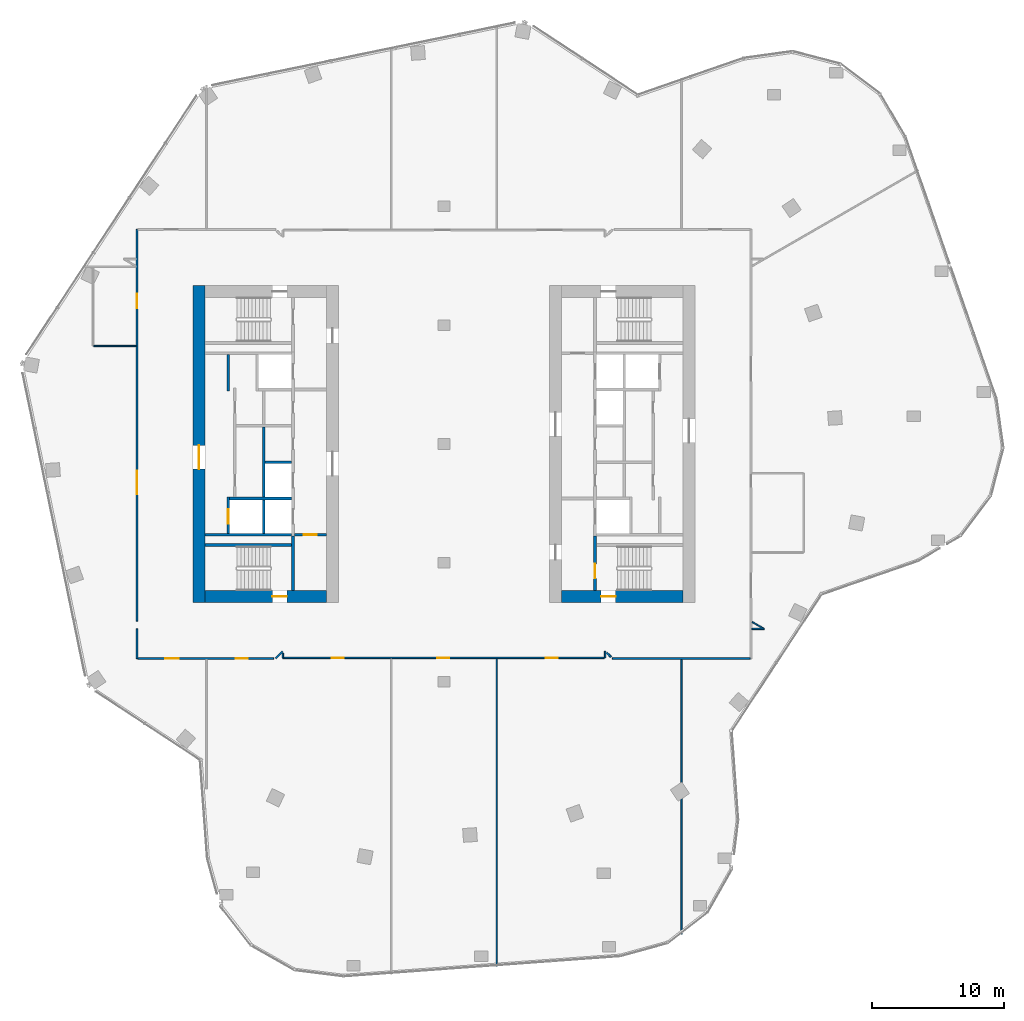
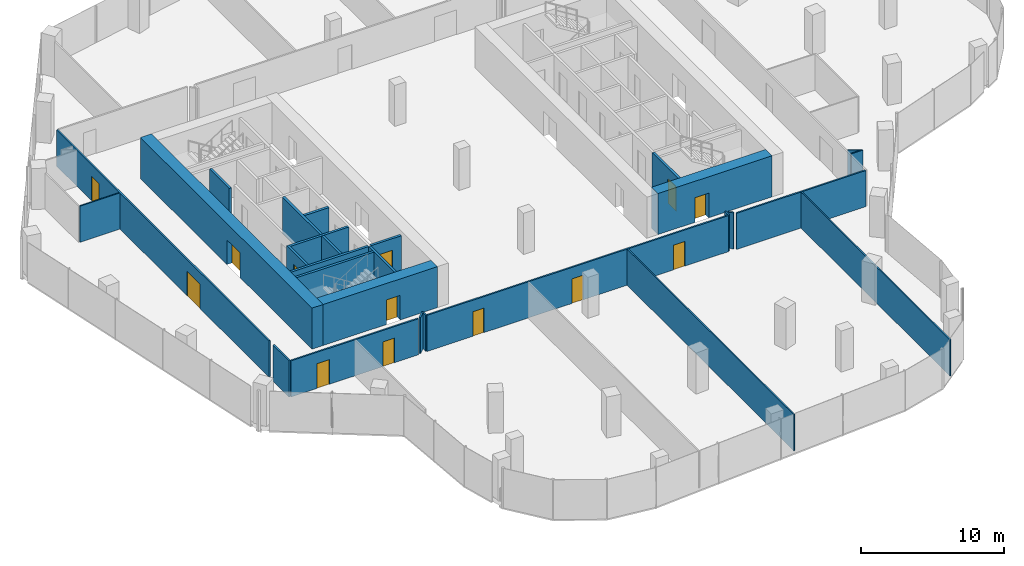
# One storey, part 18 of 24: 28 walls, 13 doors, 13 openings.
"""IFC4 building model written with IfcOpenShell, lengths in metres."""

from ifc_helpers import new_model, si_unit, direction, frame, frame_2d, origin, place, context, subcontext, project, spatial, rectangle, extrude, material, layer, layer_set, type_object, element, fill, save


model = new_model("IFC4")

# Units and contexts
model_context = context("Model", 3, precision=1e-05, world=origin(), true_north=direction((0.0, 1.0)))
body_context = subcontext(model_context, "Body", "Model", "MODEL_VIEW")
ifc_project = project(units=[si_unit("LENGTHUNIT", "METRE"), si_unit("AREAUNIT", "SQUARE_METRE"), si_unit("VOLUMEUNIT", "CUBIC_METRE"), si_unit("PLANEANGLEUNIT", "RADIAN"), si_unit("MASSUNIT", "GRAM", prefix="KILO")], contexts=[model_context])

# Site, building, storey
site_placement = place(None, origin())
site = spatial("IfcSite", under=ifc_project, at=site_placement, CompositionType="ELEMENT")
building_placement = place(site_placement, origin())
building = spatial("IfcBuilding", under=site, at=building_placement, Name="Orlundy Tower", CompositionType="ELEMENT")
storey_placement = place(building_placement, frame((0.0, 0.0, 235.5)))
storey = spatial("IfcBuildingStorey", under=building, at=storey_placement, Name="L62", CompositionType="ELEMENT", Elevation=235.5)

# Wall, opening, door
ifc_material_1 = material(Name="Concrete C60/75", Category="concrete")
ifc_layer_1 = layer(ifc_material_1, 0.89990234375)
ifc_layer_set_1 = layer_set([ifc_layer_1], Name="CORE WALL 900 C60/75")
wall_type_1 = type_object("IfcWallType", Name="CORE WALL 900 C60/75", PredefinedType="SHEAR", material=ifc_layer_set_1)
wall_1_placement = place(storey_placement, frame((-18.10009765625, -11.550048828125, 0.0), z_axis=(0.0, 0.0, 1.0), x_axis=(1.0, 0.0, 0.0)))
wall_1 = element("IfcWall", 1, at=wall_1_placement, inside=storey, type_object=wall_type_1, Name="Core wall W-S L62", PredefinedType="SHEAR", context=body_context, shape_type="SweptSolid", body=[
    extrude(rectangle(XDim=9.2001953125, YDim=0.89990234375, at=frame_2d((4.60009765625, 0.0))), origin(), (0.0, 0.0, 1.0), 3.5),
])
opening_1_placement = place(wall_1_placement, frame((5.10009765625, 0.0, 0.0)))
opening_1 = element("IfcOpeningElement", 2, at=opening_1_placement, cuts=wall_1, Name="Opening 48013", PredefinedType="OPENING", context=body_context, shape_type="SweptSolid", body=[
    extrude(rectangle(XDim=1.10009765625, YDim=2.10009765625, at=frame_2d((0.550048828125, 1.050048828125))), frame((0.0, 0.4599609375, 0.0), z_axis=(0.0, -1.0, 0.0), x_axis=(1.0, 0.0, 0.0)), (0.0, 0.0, 1.0), 0.919921875),
])
ifc_material_2 = material(Name="Steel door set", Category="steel")
door_type_1 = type_object("IfcDoorType", Name="Stair Door 1100x2100", OperationType="SINGLE_SWING_LEFT", PredefinedType="DOOR", material=ifc_material_2)
door_1_placement = place(opening_1_placement, origin())
door_1 = element("IfcDoor", 3, at=door_1_placement, inside=storey, type_object=door_type_1, Name="Stair door 48013", OperationType="SINGLE_SWING_RIGHT", OverallHeight=2.10009765625, OverallWidth=1.10009765625, PredefinedType="DOOR", context=body_context, shape_type="SweptSolid", body=[
    extrude(rectangle(XDim=1.10009765625, YDim=2.10009765625, at=frame_2d((0.550048828125, 1.050048828125))), frame((0.0, 0.02490234375, 0.0), z_axis=(0.0, -1.0, 0.0), x_axis=(1.0, 0.0, 0.0)), (0.0, 0.0, 1.0), 0.050048828125),
])
fill(opening_1, door_1)

wall_2_placement = place(storey_placement, frame((-18.550048828125, -12.0, 0.0), z_axis=(0.0, 0.0, 1.0), x_axis=(0.0, 1.0, 0.0)))
wall_2 = element("IfcWall", 4, at=wall_2_placement, inside=storey, type_object=wall_type_1, Name="Core wall W-W L62", PredefinedType="SHEAR", context=body_context, shape_type="SweptSolid", body=[
    extrude(rectangle(XDim=24.0, YDim=0.89990234375, at=frame_2d((12.0, 0.0))), origin(), (0.0, 0.0, 1.0), 3.5),
])
opening_2_placement = place(wall_2_placement, frame((10.10009765625, 0.0, 0.0)))
opening_2 = element("IfcOpeningElement", 5, at=opening_2_placement, cuts=wall_2, Name="Opening 48010", PredefinedType="OPENING", context=body_context, shape_type="SweptSolid", body=[
    extrude(rectangle(XDim=1.800048828125, YDim=2.10009765625, at=frame_2d((0.89990234375, 1.050048828125))), frame((0.0, 0.4599609375, 0.0), z_axis=(0.0, -1.0, 0.0), x_axis=(1.0, 0.0, 0.0)), (0.0, 0.0, 1.0), 0.919921875),
])
ifc_material_3 = material(Name="Timber door set", Category="wood")
door_type_2 = type_object("IfcDoorType", Name="Lobby Door 1800x2100", OperationType="DOUBLE_DOOR_DOUBLE_SWING", PredefinedType="DOOR", material=ifc_material_3)
door_2_placement = place(opening_2_placement, origin())
door_2 = element("IfcDoor", 6, at=door_2_placement, inside=storey, type_object=door_type_2, Name="Lift lobby door 48010", OperationType="SINGLE_SWING_LEFT", OverallHeight=2.10009765625, OverallWidth=1.800048828125, PredefinedType="DOOR", context=body_context, shape_type="SweptSolid", body=[
    extrude(rectangle(XDim=1.800048828125, YDim=2.10009765625, at=frame_2d((0.89990234375, 1.050048828125))), frame((0.0, 0.02490234375, 0.0), z_axis=(0.0, -1.0, 0.0), x_axis=(1.0, 0.0, 0.0)), (0.0, 0.0, 1.0), 0.050048828125),
])
fill(opening_2, door_2)

wall_3_placement = place(storey_placement, frame((8.89990234375, -11.550048828125, 0.0), z_axis=(0.0, 0.0, 1.0), x_axis=(1.0, 0.0, 0.0)))
wall_3 = element("IfcWall", 7, at=wall_3_placement, inside=storey, type_object=wall_type_1, Name="Core wall E-S L62", PredefinedType="SHEAR", context=body_context, shape_type="SweptSolid", body=[
    extrude(rectangle(XDim=9.2001953125, YDim=0.89990234375, at=frame_2d((4.60009765625, 0.0))), origin(), (0.0, 0.0, 1.0), 3.5),
])
opening_3_placement = place(wall_3_placement, frame((3.0, 0.0, 0.0)))
opening_3 = element("IfcOpeningElement", 8, at=opening_3_placement, cuts=wall_3, Name="Opening 48061", PredefinedType="OPENING", context=body_context, shape_type="SweptSolid", body=[
    extrude(rectangle(XDim=1.10009765625, YDim=2.10009765625, at=frame_2d((0.550048828125, 1.050048828125))), frame((0.0, 0.4599609375, 0.0), z_axis=(0.0, -1.0, 0.0), x_axis=(1.0, 0.0, 0.0)), (0.0, 0.0, 1.0), 0.919921875),
])
door_3_placement = place(opening_3_placement, origin())
door_3 = element("IfcDoor", 9, at=door_3_placement, inside=storey, type_object=door_type_1, Name="Stair door 48061", OperationType="SINGLE_SWING_LEFT", OverallHeight=2.10009765625, OverallWidth=1.10009765625, PredefinedType="DOOR", context=body_context, shape_type="SweptSolid", body=[
    extrude(rectangle(XDim=1.10009765625, YDim=2.10009765625, at=frame_2d((0.550048828125, 1.050048828125))), frame((0.0, 0.02490234375, 0.0), z_axis=(0.0, -1.0, 0.0), x_axis=(1.0, 0.0, 0.0)), (0.0, 0.0, 1.0), 0.050048828125),
])
fill(opening_3, door_3)

# Walls
ifc_material_4 = material(Name="Gypsum board partition")
ifc_layer_2 = layer(ifc_material_4, 0.10009765625)
ifc_layer_set_2 = layer_set([ifc_layer_2], Name="Floor partition 100")
wall_type_2 = type_object("IfcWallType", Name="Floor partition 100", PredefinedType="PARTITIONING", material=ifc_layer_set_2)
wall_4_placement = place(storey_placement, frame((23.337890625, -13.47412109375, 0.0), z_axis=(0.0, 0.0, 1.0), x_axis=(0.866295472041, -0.499531936037, 0.0)))
element("IfcWall", 10, at=wall_4_placement, inside=storey, type_object=wall_type_2, Name="wall-int-L62-005", PredefinedType="PARTITIONING", context=body_context, shape_type="SweptSolid", body=[
    extrude(rectangle(XDim=0.99853515625, YDim=0.10009765625, at=frame_2d((0.499267578125, 0.0))), origin(), (0.0, 0.0, 1.0), 3.080078125),
])
wall_5_placement = place(storey_placement, frame((23.31396484375, -14.0, 0.0), z_axis=(0.0, 0.0, 1.0), x_axis=(1.0, 0.0, 0.0)))
element("IfcWall", 11, at=wall_5_placement, inside=storey, type_object=wall_type_2, Name="wall-int-L62-009", PredefinedType="PARTITIONING", context=body_context, shape_type="SweptSolid", body=[
    extrude(rectangle(XDim=0.93310546875, YDim=0.10009765625, at=frame_2d((0.466552734375, 0.0))), origin(), (0.0, 0.0, 1.0), 3.080078125),
])
wall_6_placement = place(storey_placement, frame((-26.531982421875, 7.423095703125, 0.0), z_axis=(0.0, 0.0, 1.0), x_axis=(1.0, 0.0, 0.0)))
element("IfcWall", 12, at=wall_6_placement, inside=storey, type_object=wall_type_2, Name="wall-int-L62-012", PredefinedType="PARTITIONING", context=body_context, shape_type="SweptSolid", body=[
    extrude(rectangle(XDim=3.219970703125, YDim=0.10009765625, at=frame_2d((1.60986328125, 0.0))), origin(), (0.0, 0.0, 1.0), 3.080078125),
])
wall_7_placement = place(storey_placement, frame((18.0, -37.118896484375, 0.0), z_axis=(0.0, 0.0, 1.0), x_axis=(0.0, 1.0, 0.0)))
element("IfcWall", 13, at=wall_7_placement, inside=storey, type_object=wall_type_2, Name="wall-int-L62-025", PredefinedType="PARTITIONING", context=body_context, shape_type="SweptSolid", body=[
    extrude(rectangle(XDim=20.806884765625, YDim=0.10009765625, at=frame_2d((10.4033203125, 0.0))), origin(), (0.0, 0.0, 1.0), 3.080078125),
])
wall_8_placement = place(storey_placement, frame((4.0, -39.56494140625, 0.0), z_axis=(0.0, 0.0, 1.0), x_axis=(0.0, 1.0, 0.0)))
element("IfcWall", 14, at=wall_8_placement, inside=storey, type_object=wall_type_2, Name="wall-int-L62-029", PredefinedType="PARTITIONING", context=body_context, shape_type="SweptSolid", body=[
    extrude(rectangle(XDim=23.302978515625, YDim=0.10009765625, at=frame_2d((11.6513671875, 0.0))), origin(), (0.0, 0.0, 1.0), 3.080078125),
])
ifc_material_5 = material(Name="Gypsum board partition, double layer")
ifc_layer_3 = layer(ifc_material_5, 0.125)
ifc_layer_set_3 = layer_set([ifc_layer_3], Name="Floor partition 125")
wall_type_3 = type_object("IfcWallType", Name="Floor partition 125", PredefinedType="PARTITIONING", material=ifc_layer_set_3)
wall_9_placement = place(storey_placement, frame((-12.200927734375, -15.842041015625, 0.0), z_axis=(0.0, 0.0, 1.0), x_axis=(0.002728502804, -0.999996277629, 0.0)))
element("IfcWall", 15, at=wall_9_placement, inside=storey, type_object=wall_type_3, Name="wall-int-L62-001", PredefinedType="PARTITIONING", context=body_context, shape_type="SweptSolid", body=[
    extrude(rectangle(XDim=0.35791015625, YDim=0.125, at=frame_2d((0.178955078125, 0.0))), origin(), (0.0, 0.0, 1.0), 3.080078125),
])
wall_10_placement = place(storey_placement, frame((12.3291015625, -15.806884765625, 0.0), z_axis=(0.0, 0.0, 1.0), x_axis=(0.706834450471, -0.707379007059, 0.0)))
element("IfcWall", 16, at=wall_10_placement, inside=storey, type_object=wall_type_3, Name="wall-int-L62-002", PredefinedType="PARTITIONING", context=body_context, shape_type="SweptSolid", body=[
    extrude(rectangle(XDim=0.4482421875, YDim=0.125, at=frame_2d((0.22412109375, 0.0))), origin(), (0.0, 0.0, 1.0), 3.080078125),
])

# Wall, openings, doors
wall_11_placement = place(storey_placement, frame((-12.909912109375, -16.25, 0.0), z_axis=(0.0, 0.0, 1.0), x_axis=(-1.0, 0.0, 0.0)))
wall_11 = element("IfcWall", 17, at=wall_11_placement, inside=storey, type_object=wall_type_3, Name="wall-int-L62-006", PredefinedType="PARTITIONING", context=body_context, shape_type="SweptSolid", body=[
    extrude(rectangle(XDim=10.278076171875, YDim=0.125, at=frame_2d((5.13916015625, 0.0))), origin(), (0.0, 0.0, 1.0), 3.080078125),
])
opening_4_placement = place(wall_11_placement, frame((7.190185546875, 0.0, 0.0)))
opening_4 = element("IfcOpeningElement", 18, at=opening_4_placement, cuts=wall_11, Name="Opening 48100", PredefinedType="OPENING", context=body_context, shape_type="SweptSolid", body=[
    extrude(rectangle(XDim=1.0, YDim=2.10009765625, at=frame_2d((0.5, 1.050048828125))), frame((0.0, 0.072509765625, 0.0), z_axis=(0.0, -1.0, 0.0), x_axis=(1.0, 0.0, 0.0)), (0.0, 0.0, 1.0), 0.14501953125),
])
opening_5_placement = place(wall_11_placement, frame((1.94921875, 0.0, 0.0)))
opening_5 = element("IfcOpeningElement", 19, at=opening_5_placement, cuts=wall_11, Name="Opening 48101", PredefinedType="OPENING", context=body_context, shape_type="SweptSolid", body=[
    extrude(rectangle(XDim=0.89990234375, YDim=2.10009765625, at=frame_2d((0.449951171875, 1.050048828125))), frame((0.0, 0.072509765625, 0.0), z_axis=(0.0, -1.0, 0.0), x_axis=(1.0, 0.0, 0.0)), (0.0, 0.0, 1.0), 0.14501953125),
])
ifc_material_6 = material(Name="Timber door leaf", Category="wood")
door_type_3 = type_object("IfcDoorType", Name="Floor door single 900 FD30S", OperationType="NOTDEFINED", PredefinedType="DOOR", material=ifc_material_6)
door_4_placement = place(opening_5_placement, origin())
door_4 = element("IfcDoor", 20, at=door_4_placement, inside=storey, type_object=door_type_3, Name="Door 48101", OperationType="SINGLE_SWING_LEFT", OverallHeight=2.10009765625, OverallWidth=0.89990234375, PredefinedType="DOOR", context=body_context, shape_type="SweptSolid", body=[
    extrude(rectangle(XDim=0.89990234375, YDim=2.10009765625, at=frame_2d((0.449951171875, 1.050048828125))), frame((0.0, 0.02490234375, 0.0), z_axis=(0.0, -1.0, 0.0), x_axis=(1.0, 0.0, 0.0)), (0.0, 0.0, 1.0), 0.050048828125),
])
fill(opening_5, door_4)
ifc_material_7 = material(Name="Timber door leaf", Category="wood")
door_type_4 = type_object("IfcDoorType", Name="Floor door wide 1000 FD30S", OperationType="NOTDEFINED", PredefinedType="DOOR", material=ifc_material_7)
door_5_placement = place(opening_4_placement, origin())
door_5 = element("IfcDoor", 21, at=door_5_placement, inside=storey, type_object=door_type_4, Name="Door 48100", OperationType="SINGLE_SWING_RIGHT", OverallHeight=2.10009765625, OverallWidth=1.0, PredefinedType="DOOR", context=body_context, shape_type="SweptSolid", body=[
    extrude(rectangle(XDim=1.0, YDim=2.10009765625, at=frame_2d((0.5, 1.050048828125))), frame((0.0, 0.02490234375, 0.0), z_axis=(0.0, -1.0, 0.0), x_axis=(1.0, 0.0, 0.0)), (0.0, 0.0, 1.0), 0.050048828125),
])
fill(opening_4, door_5)

# Wall
wall_12_placement = place(storey_placement, frame((12.759033203125, -16.25, 0.0), z_axis=(0.0, 0.0, 1.0), x_axis=(1.0, 0.0, 0.0)))
element("IfcWall", 22, at=wall_12_placement, inside=storey, type_object=wall_type_3, Name="wall-int-L62-007", PredefinedType="PARTITIONING", context=body_context, shape_type="SweptSolid", body=[
    extrude(rectangle(XDim=10.429931640625, YDim=0.125, at=frame_2d((5.21484375, 0.0))), origin(), (0.0, 0.0, 1.0), 3.080078125),
])

# Wall, openings, doors
wall_13_placement = place(storey_placement, frame((12.138916015625, -16.199951171875, 0.0), z_axis=(0.0, 0.0, 1.0), x_axis=(-1.0, 0.0, 0.0)))
wall_13 = element("IfcWall", 23, at=wall_13_placement, inside=storey, type_object=wall_type_3, Name="wall-int-L62-008", PredefinedType="PARTITIONING", context=body_context, shape_type="SweptSolid", body=[
    extrude(rectangle(XDim=24.3388671875, YDim=0.125, at=frame_2d((12.16943359375, 0.0))), origin(), (0.0, 0.0, 1.0), 3.080078125),
])
opening_6_placement = place(wall_13_placement, frame((19.738525390625, 0.0, 0.0)))
opening_6 = element("IfcOpeningElement", 24, at=opening_6_placement, cuts=wall_13, Name="Opening 48102", PredefinedType="OPENING", context=body_context, shape_type="SweptSolid", body=[
    extrude(rectangle(XDim=0.89990234375, YDim=2.10009765625, at=frame_2d((0.449951171875, 1.050048828125))), frame((0.0, 0.072509765625, 0.0), z_axis=(0.0, -1.0, 0.0), x_axis=(1.0, 0.0, 0.0)), (0.0, 0.0, 1.0), 0.14501953125),
])
opening_7_placement = place(wall_13_placement, frame((11.738525390625, 0.0, 0.0)))
opening_7 = element("IfcOpeningElement", 25, at=opening_7_placement, cuts=wall_13, Name="Opening 48103", PredefinedType="OPENING", context=body_context, shape_type="SweptSolid", body=[
    extrude(rectangle(XDim=0.89990234375, YDim=2.10009765625, at=frame_2d((0.449951171875, 1.050048828125))), frame((0.0, 0.072509765625, 0.0), z_axis=(0.0, -1.0, 0.0), x_axis=(1.0, 0.0, 0.0)), (0.0, 0.0, 1.0), 0.14501953125),
])
opening_8_placement = place(wall_13_placement, frame((3.53759765625, 0.0, 0.0)))
opening_8 = element("IfcOpeningElement", 26, at=opening_8_placement, cuts=wall_13, Name="Opening 48104", PredefinedType="OPENING", context=body_context, shape_type="SweptSolid", body=[
    extrude(rectangle(XDim=0.89990234375, YDim=2.10009765625, at=frame_2d((0.449951171875, 1.050048828125))), frame((0.0, 0.072509765625, 0.0), z_axis=(0.0, -1.0, 0.0), x_axis=(1.0, 0.0, 0.0)), (0.0, 0.0, 1.0), 0.14501953125),
])
door_6_placement = place(opening_6_placement, origin())
door_6 = element("IfcDoor", 27, at=door_6_placement, inside=storey, type_object=door_type_3, Name="Door 48102", OperationType="SINGLE_SWING_RIGHT", OverallHeight=2.10009765625, OverallWidth=0.89990234375, PredefinedType="DOOR", context=body_context, shape_type="SweptSolid", body=[
    extrude(rectangle(XDim=0.89990234375, YDim=2.10009765625, at=frame_2d((0.449951171875, 1.050048828125))), frame((0.0, 0.02490234375, 0.0), z_axis=(0.0, -1.0, 0.0), x_axis=(1.0, 0.0, 0.0)), (0.0, 0.0, 1.0), 0.050048828125),
])
fill(opening_6, door_6)
door_7_placement = place(opening_7_placement, origin())
door_7 = element("IfcDoor", 28, at=door_7_placement, inside=storey, type_object=door_type_3, Name="Door 48103", OperationType="SINGLE_SWING_RIGHT", OverallHeight=2.10009765625, OverallWidth=0.89990234375, PredefinedType="DOOR", context=body_context, shape_type="SweptSolid", body=[
    extrude(rectangle(XDim=0.89990234375, YDim=2.10009765625, at=frame_2d((0.449951171875, 1.050048828125))), frame((0.0, 0.02490234375, 0.0), z_axis=(0.0, -1.0, 0.0), x_axis=(1.0, 0.0, 0.0)), (0.0, 0.0, 1.0), 0.050048828125),
])
fill(opening_7, door_7)
door_8_placement = place(opening_8_placement, origin())
door_8 = element("IfcDoor", 29, at=door_8_placement, inside=storey, type_object=door_type_3, Name="Door 48104", OperationType="SINGLE_SWING_LEFT", OverallHeight=2.10009765625, OverallWidth=0.89990234375, PredefinedType="DOOR", context=body_context, shape_type="SweptSolid", body=[
    extrude(rectangle(XDim=0.89990234375, YDim=2.10009765625, at=frame_2d((0.449951171875, 1.050048828125))), frame((0.0, 0.02490234375, 0.0), z_axis=(0.0, -1.0, 0.0), x_axis=(1.0, 0.0, 0.0)), (0.0, 0.0, 1.0), 0.050048828125),
])
fill(opening_8, door_8)

# Walls
wall_14_placement = place(storey_placement, frame((-12.7529296875, -16.23095703125, 0.0), z_axis=(0.0, 0.0, 1.0), x_axis=(0.707106781187, 0.707106781187, 0.0)))
element("IfcWall", 30, at=wall_14_placement, inside=storey, type_object=wall_type_3, Name="wall-int-L62-020", PredefinedType="PARTITIONING", context=body_context, shape_type="SweptSolid", body=[
    extrude(rectangle(XDim=0.7509765625, YDim=0.125, at=frame_2d((0.37548828125, 0.0))), origin(), (0.0, 0.0, 1.0), 3.080078125),
])
wall_15_placement = place(storey_placement, frame((12.200927734375, -16.199951171875, 0.0), z_axis=(0.0, 0.0, 1.0), x_axis=(0.0, 1.0, 0.0)))
element("IfcWall", 31, at=wall_15_placement, inside=storey, type_object=wall_type_3, Name="wall-int-L62-027", PredefinedType="PARTITIONING", context=body_context, shape_type="SweptSolid", body=[
    extrude(rectangle(XDim=0.508056640625, YDim=0.125, at=frame_2d((0.25390625, 0.0))), origin(), (0.0, 0.0, 1.0), 3.080078125),
])
wall_16_placement = place(storey_placement, frame((-23.25, -16.25, 0.0), z_axis=(0.0, 0.0, 1.0), x_axis=(0.0, 1.0, 0.0)))
element("IfcWall", 32, at=wall_16_placement, inside=storey, type_object=wall_type_3, Name="wall-int-L62-035", PredefinedType="PARTITIONING", context=body_context, shape_type="SweptSolid", body=[
    extrude(rectangle(XDim=2.25, YDim=0.125, at=frame_2d((1.125, 0.0))), origin(), (0.0, 0.0, 1.0), 3.080078125),
])

# Wall, openings, doors
wall_17_placement = place(storey_placement, frame((-23.25, -13.423095703125, 0.0), z_axis=(0.0, 0.0, 1.0), x_axis=(0.0, 1.0, 0.0)))
wall_17 = element("IfcWall", 33, at=wall_17_placement, inside=storey, type_object=wall_type_3, Name="wall-int-L62-036", PredefinedType="PARTITIONING", context=body_context, shape_type="SweptSolid", body=[
    extrude(rectangle(XDim=29.673095703125, YDim=0.125, at=frame_2d((14.83642578125, 0.0))), origin(), (0.0, 0.0, 1.0), 3.080078125),
])
opening_9_placement = place(wall_17_placement, frame((9.60009765625, 0.0, 0.0)))
opening_9 = element("IfcOpeningElement", 34, at=opening_9_placement, cuts=wall_17, Name="Opening 48112", PredefinedType="OPENING", context=body_context, shape_type="SweptSolid", body=[
    extrude(rectangle(XDim=1.800048828125, YDim=2.10009765625, at=frame_2d((0.89990234375, 1.050048828125))), frame((0.0, 0.072509765625, 0.0), z_axis=(0.0, -1.0, 0.0), x_axis=(1.0, 0.0, 0.0)), (0.0, 0.0, 1.0), 0.14501953125),
])
opening_10_placement = place(wall_17_placement, frame((23.696044921875, 0.0, 0.0)))
opening_10 = element("IfcOpeningElement", 35, at=opening_10_placement, cuts=wall_17, Name="Opening 48114", PredefinedType="OPENING", context=body_context, shape_type="SweptSolid", body=[
    extrude(rectangle(XDim=1.10009765625, YDim=2.10009765625, at=frame_2d((0.550048828125, 1.050048828125))), frame((0.0, 0.072509765625, 0.0), z_axis=(0.0, -1.0, 0.0), x_axis=(1.0, 0.0, 0.0)), (0.0, 0.0, 1.0), 0.14501953125),
])
ifc_material_8 = material(Name="Timber door leaf", Category="wood")
door_type_5 = type_object("IfcDoorType", Name="Floor door double 1800 FD30S", OperationType="NOTDEFINED", PredefinedType="DOOR", material=ifc_material_8)
door_9_placement = place(opening_9_placement, origin())
door_9 = element("IfcDoor", 36, at=door_9_placement, inside=storey, type_object=door_type_5, Name="Door 48112", OperationType="DOUBLE_DOOR_SINGLE_SWING", OverallHeight=2.10009765625, OverallWidth=1.800048828125, PredefinedType="DOOR", context=body_context, shape_type="SweptSolid", body=[
    extrude(rectangle(XDim=1.800048828125, YDim=2.10009765625, at=frame_2d((0.89990234375, 1.050048828125))), frame((0.0, 0.02490234375, 0.0), z_axis=(0.0, -1.0, 0.0), x_axis=(1.0, 0.0, 0.0)), (0.0, 0.0, 1.0), 0.050048828125),
])
fill(opening_9, door_9)
ifc_material_9 = material(Name="Timber door leaf", Category="wood")
door_type_6 = type_object("IfcDoorType", Name="Floor door xwide 1100 FD30S", OperationType="NOTDEFINED", PredefinedType="DOOR", material=ifc_material_9)
door_10_placement = place(opening_10_placement, origin())
door_10 = element("IfcDoor", 37, at=door_10_placement, inside=storey, type_object=door_type_6, Name="Door 48114", OperationType="SINGLE_SWING_RIGHT", OverallHeight=2.10009765625, OverallWidth=1.10009765625, PredefinedType="DOOR", context=body_context, shape_type="SweptSolid", body=[
    extrude(rectangle(XDim=1.10009765625, YDim=2.10009765625, at=frame_2d((0.550048828125, 1.050048828125))), frame((0.0, 0.02490234375, 0.0), z_axis=(0.0, -1.0, 0.0), x_axis=(1.0, 0.0, 0.0)), (0.0, 0.0, 1.0), 0.050048828125),
])
fill(opening_10, door_10)

# Walls
ifc_material_10 = material(Name="Concrete C40/50", Category="concrete")
ifc_layer_4 = layer(ifc_material_10, 0.199951171875)
ifc_layer_set_4 = layer_set([ifc_layer_4], Name="Load-bearing Shaft Wall 200")
wall_type_4 = type_object("IfcWallType", Name="Load-bearing Shaft Wall 200", PredefinedType="SOLIDWALL", material=ifc_layer_set_4)
wall_18_placement = place(storey_placement, frame((-11.43994140625, -11.10009765625, 0.0), z_axis=(0.0, 0.0, 1.0), x_axis=(0.0, 1.0, 0.0)))
element("IfcWall", 38, at=wall_18_placement, inside=storey, type_object=wall_type_4, Name="Shaft wall W48-stair-end-s", PredefinedType="SOLIDWALL", context=body_context, shape_type="SweptSolid", body=[
    extrude(rectangle(XDim=4.125, YDim=0.199951171875, at=frame_2d((2.0625, 0.0))), origin(), (0.0, 0.0, 1.0), 3.090087890625),
])
wall_19_placement = place(storey_placement, frame((-11.5400390625, -7.64990234375, 0.0), z_axis=(0.0, 0.0, 1.0), x_axis=(-1.0, 0.0, 0.0)))
element("IfcWall", 39, at=wall_19_placement, inside=storey, type_object=wall_type_4, Name="Shaft wall W48-stair-side-s", PredefinedType="SOLIDWALL", context=body_context, shape_type="SweptSolid", body=[
    extrude(rectangle(XDim=6.56005859375, YDim=0.199951171875, at=frame_2d((3.280029296875, 0.0))), origin(), (0.0, 0.0, 1.0), 3.090087890625),
])

# Wall, opening, door
wall_20_placement = place(storey_placement, frame((11.43994140625, -6.97509765625, 0.0), z_axis=(0.0, 0.0, 1.0), x_axis=(0.0, -1.0, 0.0)))
wall_20 = element("IfcWall", 40, at=wall_20_placement, inside=storey, type_object=wall_type_4, Name="Shaft wall E48-stair-end-n", PredefinedType="SOLIDWALL", context=body_context, shape_type="SweptSolid", body=[
    extrude(rectangle(XDim=4.125, YDim=0.199951171875, at=frame_2d((2.0625, 0.0))), origin(), (0.0, 0.0, 1.0), 3.090087890625),
])
opening_11_placement = place(wall_20_placement, frame((2.10009765625, 0.0, 0.0)))
opening_11 = element("IfcOpeningElement", 41, at=opening_11_placement, cuts=wall_20, Name="Opening 48063", PredefinedType="OPENING", context=body_context, shape_type="SweptSolid", body=[
    extrude(rectangle(XDim=1.10009765625, YDim=2.10009765625, at=frame_2d((0.550048828125, 1.050048828125))), frame((0.0, 0.110107421875, 0.0), z_axis=(0.0, -1.0, 0.0), x_axis=(1.0, 0.0, 0.0)), (0.0, 0.0, 1.0), 0.22021484375),
])
ifc_material_11 = material(Name="Steel door set", Category="steel")
door_type_7 = type_object("IfcDoorType", Name="Fire-fighting Lobby Door 1100x2100", OperationType="SINGLE_SWING_LEFT", PredefinedType="DOOR", material=ifc_material_11)
door_11_placement = place(opening_11_placement, origin())
door_11 = element("IfcDoor", 42, at=door_11_placement, inside=storey, type_object=door_type_7, Name="Fire-fighting lobby to stair door 48063", OperationType="SINGLE_SWING_RIGHT", OverallHeight=2.10009765625, OverallWidth=1.10009765625, PredefinedType="DOOR", context=body_context, shape_type="SweptSolid", body=[
    extrude(rectangle(XDim=1.10009765625, YDim=2.10009765625, at=frame_2d((0.550048828125, 1.050048828125))), frame((0.0, 0.02490234375, 0.0), z_axis=(0.0, -1.0, 0.0), x_axis=(1.0, 0.0, 0.0)), (0.0, 0.0, 1.0), 0.050048828125),
])
fill(opening_11, door_11)

ifc_material_12 = material(Name="Gypsum board partition on steel studs", Category="steel")
ifc_layer_5 = layer(ifc_material_12, 0.199951171875)
ifc_layer_set_5 = layer_set([ifc_layer_5], Name="Partition 200")
wall_type_5 = type_object("IfcWallType", Name="Partition 200", PredefinedType="PARTITIONING", material=ifc_layer_set_5)
wall_21_placement = place(storey_placement, frame((-8.89990234375, -6.875, 0.0), z_axis=(0.0, 0.0, 1.0), x_axis=(-1.0, 0.0, 0.0)))
wall_21 = element("IfcWall", 43, at=wall_21_placement, inside=storey, type_object=wall_type_5, Name="Partition wall W48-end-s", PredefinedType="PARTITIONING", context=body_context, shape_type="SweptSolid", body=[
    extrude(rectangle(XDim=2.440185546875, YDim=0.199951171875, at=frame_2d((1.22021484375, 0.0))), origin(), (0.0, 0.0, 1.0), 3.090087890625),
])
opening_12_placement = place(wall_21_placement, frame((0.719970703125, 0.0, 0.0)))
opening_12 = element("IfcOpeningElement", 44, at=opening_12_placement, cuts=wall_21, Name="Opening 48015", PredefinedType="OPENING", context=body_context, shape_type="SweptSolid", body=[
    extrude(rectangle(XDim=1.0, YDim=2.10009765625, at=frame_2d((0.5, 1.050048828125))), frame((0.0, 0.110107421875, 0.0), z_axis=(0.0, -1.0, 0.0), x_axis=(1.0, 0.0, 0.0)), (0.0, 0.0, 1.0), 0.22021484375),
])
ifc_material_13 = material(Name="Timber door set", Category="wood")
door_type_8 = type_object("IfcDoorType", Name="Accessible Door 1000x2100", OperationType="SINGLE_SWING_LEFT", PredefinedType="DOOR", material=ifc_material_13)
door_12_placement = place(opening_12_placement, origin())
door_12 = element("IfcDoor", 45, at=door_12_placement, inside=storey, type_object=door_type_8, Name="Accessible WC door 48015", OperationType="SINGLE_SWING_RIGHT", OverallHeight=2.10009765625, OverallWidth=1.0, PredefinedType="DOOR", context=body_context, shape_type="SweptSolid", body=[
    extrude(rectangle(XDim=1.0, YDim=2.10009765625, at=frame_2d((0.5, 1.050048828125))), frame((0.0, 0.02490234375, 0.0), z_axis=(0.0, -1.0, 0.0), x_axis=(1.0, 0.0, 0.0)), (0.0, 0.0, 1.0), 0.050048828125),
])
fill(opening_12, door_12)

# Walls
ifc_material_14 = material(Name="Fire-rated blockwork shaft wall", Category="masonry")
ifc_layer_6 = layer(ifc_material_14, 0.199951171875)
ifc_layer_set_6 = layer_set([ifc_layer_6], Name="Shaft Wall 200")
wall_type_6 = type_object("IfcWallType", Name="Shaft Wall 200", PredefinedType="SOLIDWALL", material=ifc_layer_set_6)
wall_22_placement = place(storey_placement, frame((-11.5400390625, -6.875, 0.0), z_axis=(0.0, 0.0, 1.0), x_axis=(-1.0, 0.0, 0.0)))
element("IfcWall", 46, at=wall_22_placement, inside=storey, type_object=wall_type_6, Name="Shaft wall W48-zone-s", PredefinedType="SOLIDWALL", context=body_context, shape_type="SweptSolid", body=[
    extrude(rectangle(XDim=6.56005859375, YDim=0.199951171875, at=frame_2d((3.280029296875, 0.0))), origin(), (0.0, 0.0, 1.0), 3.090087890625),
])
wall_23_placement = place(storey_placement, frame((-11.5400390625, -4.125, 0.0), z_axis=(0.0, 0.0, 1.0), x_axis=(-1.0, 0.0, 0.0)))
element("IfcWall", 47, at=wall_23_placement, inside=storey, type_object=wall_type_6, Name="Shaft wall W48-cross-4.125", PredefinedType="SOLIDWALL", context=body_context, shape_type="SweptSolid", body=[
    extrude(rectangle(XDim=4.699951171875, YDim=0.199951171875, at=frame_2d((2.35009765625, 0.0))), origin(), (0.0, 0.0, 1.0), 3.090087890625),
])
wall_24_placement = place(storey_placement, frame((-11.5400390625, -1.375, 0.0), z_axis=(0.0, 0.0, 1.0), x_axis=(-1.0, 0.0, 0.0)))
element("IfcWall", 48, at=wall_24_placement, inside=storey, type_object=wall_type_6, Name="Shaft wall W48-cross-1.375", PredefinedType="SOLIDWALL", context=body_context, shape_type="SweptSolid", body=[
    extrude(rectangle(XDim=2.0, YDim=0.199951171875, at=frame_2d((1.0, 0.0))), origin(), (0.0, 0.0, 1.0), 3.090087890625),
])
wall_25_placement = place(storey_placement, frame((-13.639892578125, -6.77490234375, 0.0), z_axis=(0.0, 0.0, 1.0), x_axis=(0.0, 1.0, 0.0)))
element("IfcWall", 49, at=wall_25_placement, inside=storey, type_object=wall_type_6, Name="Shaft wall W48-mid-a", PredefinedType="SOLIDWALL", context=body_context, shape_type="SweptSolid", body=[
    extrude(rectangle(XDim=2.5498046875, YDim=0.199951171875, at=frame_2d((1.27490234375, 0.0))), origin(), (0.0, 0.0, 1.0), 3.090087890625),
])
wall_26_placement = place(storey_placement, frame((-13.639892578125, -4.02490234375, 0.0), z_axis=(0.0, 0.0, 1.0), x_axis=(0.0, 1.0, 0.0)))
element("IfcWall", 50, at=wall_26_placement, inside=storey, type_object=wall_type_6, Name="Shaft wall W48-mid-a.1", PredefinedType="SOLIDWALL", context=body_context, shape_type="SweptSolid", body=[
    extrude(rectangle(XDim=5.2998046875, YDim=0.199951171875, at=frame_2d((2.64990234375, 0.0))), origin(), (0.0, 0.0, 1.0), 3.090087890625),
])

# Wall, opening, door
wall_27_placement = place(storey_placement, frame((-16.340087890625, -6.77490234375, 0.0), z_axis=(0.0, 0.0, 1.0), x_axis=(0.0, 1.0, 0.0)))
wall_27 = element("IfcWall", 51, at=wall_27_placement, inside=storey, type_object=wall_type_6, Name="Shaft wall W48-front-o-a", PredefinedType="SOLIDWALL", context=body_context, shape_type="SweptSolid", body=[
    extrude(rectangle(XDim=2.75, YDim=0.199951171875, at=frame_2d((1.375, 0.0))), origin(), (0.0, 0.0, 1.0), 3.090087890625),
])
opening_13_placement = place(wall_27_placement, frame((0.72509765625, 0.0, 0.0)))
opening_13 = element("IfcOpeningElement", 52, at=opening_13_placement, cuts=wall_27, Name="Opening 48002", PredefinedType="OPENING", context=body_context, shape_type="SweptSolid", body=[
    extrude(rectangle(XDim=1.10009765625, YDim=2.10009765625, at=frame_2d((0.550048828125, 1.050048828125))), frame((0.0, 0.110107421875, 0.0), z_axis=(0.0, -1.0, 0.0), x_axis=(1.0, 0.0, 0.0)), (0.0, 0.0, 1.0), 0.22021484375),
])
ifc_material_15 = material(Name="Steel door set", Category="steel")
door_type_9 = type_object("IfcDoorType", Name="Landing Door 1100x2100", OperationType="DOUBLE_DOOR_SLIDING", PredefinedType="DOOR", material=ifc_material_15)
door_13_placement = place(opening_13_placement, origin())
door_13 = element("IfcDoor", 53, at=door_13_placement, inside=storey, type_object=door_type_9, Name="Lift landing door LV-01 48002", OperationType="DOUBLE_DOOR_SLIDING", OverallHeight=2.10009765625, OverallWidth=1.10009765625, PredefinedType="DOOR", context=body_context, shape_type="SweptSolid", body=[
    extrude(rectangle(XDim=1.10009765625, YDim=2.10009765625, at=frame_2d((0.550048828125, 1.050048828125))), frame((0.0, 0.02490234375, 0.0), z_axis=(0.0, -1.0, 0.0), x_axis=(1.0, 0.0, 0.0)), (0.0, 0.0, 1.0), 0.050048828125),
])
fill(opening_13, door_13)

# Wall
wall_28_placement = place(storey_placement, frame((-16.340087890625, 4.02490234375, 0.0), z_axis=(0.0, 0.0, 1.0), x_axis=(0.0, 1.0, 0.0)))
element("IfcWall", 54, at=wall_28_placement, inside=storey, type_object=wall_type_6, Name="Shaft wall W48-front-o-c", PredefinedType="SOLIDWALL", context=body_context, shape_type="SweptSolid", body=[
    extrude(rectangle(XDim=2.75, YDim=0.199951171875, at=frame_2d((1.375, 0.0))), origin(), (0.0, 0.0, 1.0), 3.090087890625),
])

save(model, "model.ifc")
